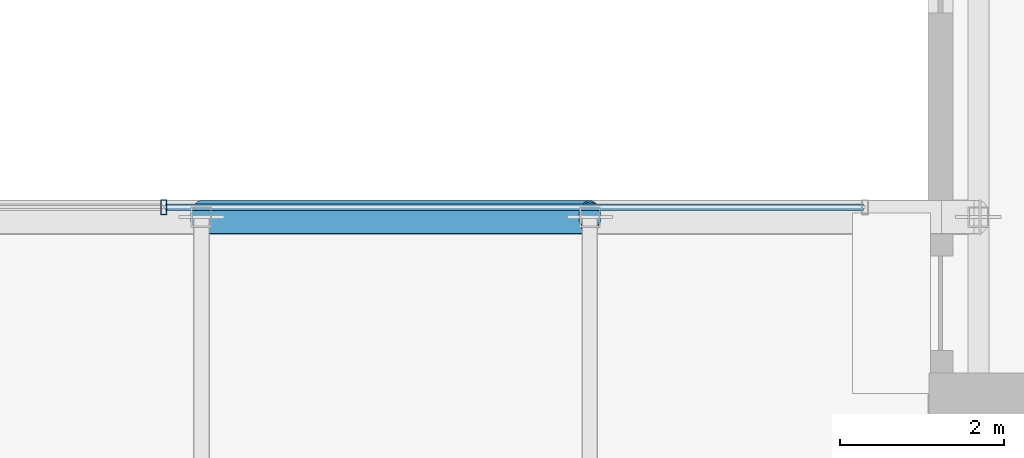
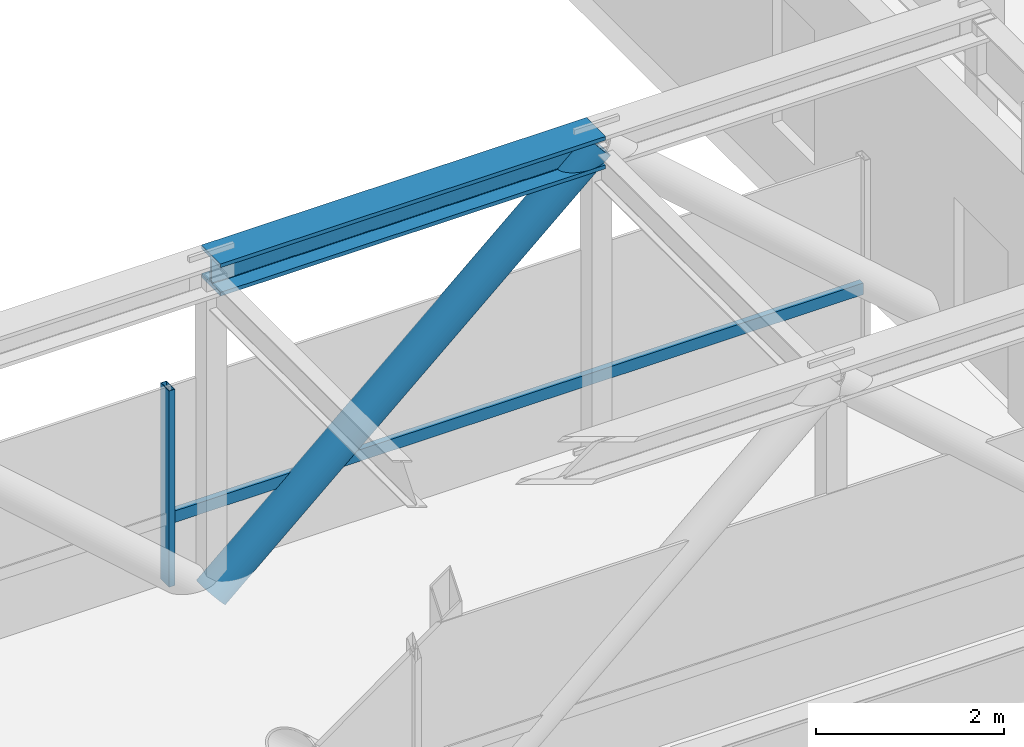
# One storey, part 12 of 45: 4 members, 1 element without a shape of its own.
"""IFC4 building model written with IfcOpenShell, lengths in metres."""

from ifc_helpers import new_model, si_unit, direction, frame, origin, origin_2d, place, context, subcontext, project, spatial, hollow_rectangle, hollow_circle, i_section, extrude, material, material_profile, profile_set, type_object, element, aggregate, save


model = new_model("IFC4")

# Units and contexts
model_context = context("Model", 3, precision=1e-05, world=origin(), true_north=direction((0.0, 1.0)))
body_context = subcontext(model_context, "Body", "Model", "MODEL_VIEW")
ifc_project = project(units=[si_unit("LENGTHUNIT", "METRE"), si_unit("AREAUNIT", "SQUARE_METRE"), si_unit("VOLUMEUNIT", "CUBIC_METRE"), si_unit("PLANEANGLEUNIT", "RADIAN"), si_unit("MASSUNIT", "GRAM", prefix="KILO")], contexts=[model_context])

# Site, building, storey
site_placement = place(None, origin())
site = spatial("IfcSite", under=ifc_project, at=site_placement, CompositionType="ELEMENT")
building_placement = place(site_placement, origin())
building = spatial("IfcBuilding", under=site, at=building_placement, Name="Thornwick Lancets Civic Towers", CompositionType="ELEMENT")
storey_placement = place(building_placement, frame((0.0, 0.0, 141.300048828125)))
storey = spatial("IfcBuildingStorey", under=building, at=storey_placement, Name="L37", CompositionType="ELEMENT", Elevation=141.300048828125)

# Curtain wall, members
ifc_material_1 = material(Name="Skybridge acoustic laminated-glass curtain wall", Category="glass")
curtain_wall_type = type_object("IfcCurtainWallType", Name="CW_SYS_06", PredefinedType="NOTDEFINED", material=ifc_material_1)
curtain_wall_placement = place(storey_placement, origin())
curtain_wall = element("IfcCurtainWall", 1, at=curtain_wall_placement, inside=storey, type_object=curtain_wall_type, Name="L37 Curtain Wall CW-L37-SKYBRIDGE-N", PredefinedType="NOTDEFINED")
ifc_material_2 = material(Name="Thermally broken bronze aluminium S355", Category="steel")
ifc_material_profile_1 = material_profile(ifc_material_2, hollow_rectangle(XDim=0.074951171875, YDim=0.179931640625, WallThickness=0.006103515625, at=origin_2d()), Name="RHS 180x75x6")
ifc_profile_set_1 = profile_set([ifc_material_profile_1], Name="Thermally broken bronze aluminium S355")
member_type_1 = type_object("IfcMemberType", Name="CW_MUL_180", PredefinedType="MULLION", material=ifc_profile_set_1)
member_1_placement = place(storey_placement, frame((61.273193359375, 29.6201171875, 0.0), z_axis=(0.0, 0.0, 1.0), x_axis=(1.0, 0.0, 0.0)))
member_1 = element("IfcMember", 2, at=member_1_placement, type_object=member_type_1, Name="CW-L37-SKYBRIDGE-N Mullion 1", PredefinedType="MULLION", context=body_context, shape_type="SweptSolid", body=[
    extrude(hollow_rectangle(XDim=0.074951171875, YDim=0.179931640625, WallThickness=0.006103515625, at=origin_2d()), origin(), (0.0, 0.0, 1.0), 2.550048828125),
])
ifc_material_profile_2 = material_profile(ifc_material_2, hollow_rectangle(XDim=0.074951171875, YDim=0.14990234375, WallThickness=0.0048828125, at=origin_2d()), Name="RHS 150x75x5")
ifc_profile_set_2 = profile_set([ifc_material_profile_2], Name="Thermally broken bronze aluminium S355")
member_type_2 = type_object("IfcMemberType", Name="CW_TRN_150", PredefinedType="USERDEFINED", material=ifc_profile_set_2)
member_2_placement = place(storey_placement, frame((69.800048828125, 29.6201171875, 0.849853515625), z_axis=(-1.0, 0.0, 0.0), x_axis=(0.0, -1.0, 0.0)))
member_2 = element("IfcMember", 3, at=member_2_placement, type_object=member_type_2, Name="CW-L37-SKYBRIDGE-N Transom 0", ObjectType="TRANSOM", PredefinedType="USERDEFINED", context=body_context, shape_type="SweptSolid", body=[
    extrude(hollow_rectangle(XDim=0.074951171875, YDim=0.14990234375, WallThickness=0.0048828125, at=origin_2d()), origin(), (0.0, 0.0, 1.0), 8.5068359375),
])
aggregate(curtain_wall, [member_1, member_2])

# Members
ifc_material_3 = material(Name="Steel S460M", Category="steel")
ifc_material_profile_3 = material_profile(ifc_material_3, i_section(OverallWidth=0.406982421875, OverallDepth=0.4189453125, WebThickness=0.030517578125, FlangeThickness=0.04931640625, FilletRadius=0.01513671875, at=origin_2d()), Name="UKC 356x406x393")
ifc_profile_set_3 = profile_set([ifc_material_profile_3], Name="Steel S460M")
member_type_3 = type_object("IfcMemberType", Name="MEM_BRG_CHORD_393", PredefinedType="CHORD", material=ifc_profile_set_3)
member_3_placement = place(storey_placement, frame((61.7333984375, 29.5, 3.9599609375), z_axis=(1.0, 0.0, 0.0), x_axis=(0.0, 1.0, 0.0)))
element("IfcMember", 4, at=member_3_placement, inside=storey, type_object=member_type_3, Name="L37 Skybridge Top Chord 2-4", PredefinedType="CHORD", context=body_context, shape_type="SweptSolid", body=[
    extrude(i_section(OverallWidth=0.406982421875, OverallDepth=0.4189453125, WebThickness=0.030517578125, FlangeThickness=0.04931640625, FilletRadius=0.01513671875, at=origin_2d()), origin(), (0.0, 0.0, 1.0), 4.7333984375),
])
ifc_material_profile_4 = material_profile(ifc_material_3, hollow_circle(Radius=0.203125, WallThickness=0.02001953125, at=origin_2d()), Name="CHS 406.4x20")
ifc_profile_set_4 = profile_set([ifc_material_profile_4], Name="Steel S460M")
member_type_4 = type_object("IfcMemberType", Name="MEM_BRG_WEB_CHS406", PredefinedType="BRACE", material=ifc_profile_set_4)
member_4_placement = place(storey_placement, frame((61.7333984375, 29.5, -0.219970703125), z_axis=(0.749570397513, 0.0, 0.661924632547), x_axis=(0.0, 1.0, 0.0)))
element("IfcMember", 5, at=member_4_placement, inside=storey, type_object=member_type_4, Name="L37 Skybridge Truss Diagonal 2-4", PredefinedType="BRACE", context=body_context, shape_type="SweptSolid", body=[
    extrude(hollow_circle(Radius=0.203125, WallThickness=0.02001953125, at=origin_2d()), origin(), (0.0, 0.0, 1.0), 6.314697265625),
])

save(model, "model.ifc")
